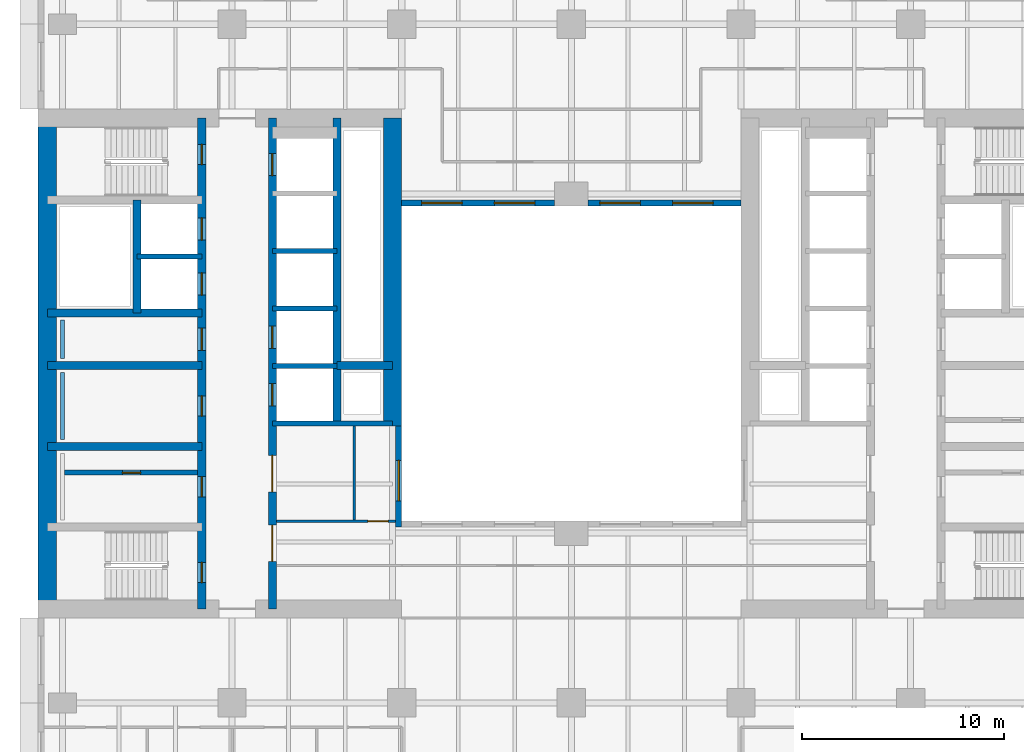
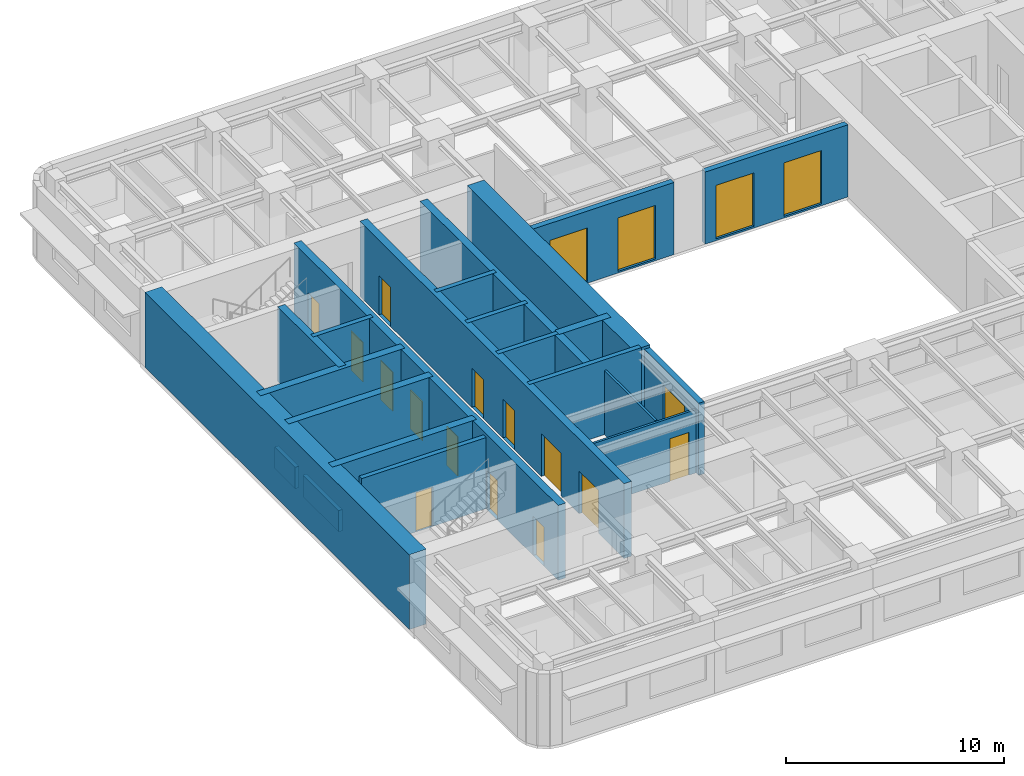
# One storey, part 4 of 11: 23 walls, 14 doors, 5 windows, 19 openings.
"""IFC4 building model written with IfcOpenShell, lengths in metres."""

from ifc_helpers import new_model, si_unit, direction, frame, frame_2d, origin, place, context, subcontext, project, spatial, rectangle, extrude, material, layer, layer_set, type_object, element, fill, save


model = new_model("IFC4")

# Units and contexts
model_context = context("Model", 3, precision=1e-05, world=origin(), true_north=direction((0.0, 1.0)))
body_context = subcontext(model_context, "Body", "Model", "MODEL_VIEW")
ifc_project = project(units=[si_unit("LENGTHUNIT", "METRE"), si_unit("AREAUNIT", "SQUARE_METRE"), si_unit("VOLUMEUNIT", "CUBIC_METRE"), si_unit("PLANEANGLEUNIT", "RADIAN"), si_unit("MASSUNIT", "GRAM", prefix="KILO")], contexts=[model_context])

# Site, building, storey
site_placement = place(None, origin())
site = spatial("IfcSite", under=ifc_project, at=site_placement, CompositionType="ELEMENT")
building_placement = place(site_placement, origin())
building = spatial("IfcBuilding", under=site, at=building_placement, Name="Claustro Exchange Tower", CompositionType="ELEMENT")
storey_placement = place(building_placement, frame((0.0, 0.0, 109.199951171875)))
storey = spatial("IfcBuildingStorey", under=building, at=storey_placement, Name="L24", CompositionType="ELEMENT", Elevation=109.199951171875)

# Wall, opening, door
ifc_material_1 = material(Name="Laminated glass in aluminium frame", Category="aluminium")
ifc_layer_1 = layer(ifc_material_1, 0.1201171875)
ifc_layer_set_1 = layer_set([ifc_layer_1], Name="Laminated glass in aluminium frame")
wall_type_1 = type_object("IfcWallType", Name="P2 120 glazed partition", PredefinedType="PARTITIONING", material=ifc_layer_set_1)
wall_1_placement = place(storey_placement, frame((10.597900390625, 17.39990234375, 0.0), z_axis=(0.0, 0.0, 1.0), x_axis=(1.0, 0.0, 0.0)))
wall_1 = element("IfcWall", 1, at=wall_1_placement, inside=storey, type_object=wall_type_1, Name="Partition P2 L24", PredefinedType="PARTITIONING", context=body_context, shape_type="SweptSolid", body=[
    extrude(rectangle(XDim=5.904052734375, YDim=0.1201171875, at=frame_2d((2.9521484375, 0.0))), origin(), (0.0, 0.0, 1.0), 3.550048828125),
])
opening_1_placement = place(wall_1_placement, frame((4.52392578125, 0.0, 0.0)))
opening_1 = element("IfcOpeningElement", 2, at=opening_1_placement, cuts=wall_1, Name="Opening D7", PredefinedType="OPENING", context=body_context, shape_type="SweptSolid", body=[
    extrude(rectangle(XDim=1.0, YDim=2.39990234375, at=frame_2d((0.5, 1.199951171875))), frame((0.0, 0.070068359375, 0.0), z_axis=(0.0, -1.0, 0.0), x_axis=(1.0, 0.0, 0.0)), (0.0, 0.0, 1.0), 0.14013671875),
])
ifc_material_2 = material(Name="Glass door in aluminium frame", Category="aluminium")
door_type_1 = type_object("IfcDoorType", Name="D7 1000 x 2400 glazed door", OperationType="SINGLE_SWING_LEFT", PredefinedType="DOOR", material=ifc_material_2)
door_1_placement = place(opening_1_placement, origin())
door_1 = element("IfcDoor", 3, at=door_1_placement, inside=storey, type_object=door_type_1, Name="Door D7 L24", OperationType="SINGLE_SWING_LEFT", OverallHeight=2.39990234375, OverallWidth=1.0, PredefinedType="DOOR", context=body_context, shape_type="SweptSolid", body=[
    extrude(rectangle(XDim=1.0, YDim=2.39990234375, at=frame_2d((0.5, 1.199951171875))), frame((0.0, 0.02490234375, 0.0), z_axis=(0.0, -1.0, 0.0), x_axis=(1.0, 0.0, 0.0)), (0.0, 0.0, 1.0), 0.050048828125),
])
fill(opening_1, door_1)

# Wall
wall_2_placement = place(storey_placement, frame((14.444091796875, 17.4580078125, 0.0), z_axis=(0.0, 0.0, 1.0), x_axis=(0.0, 1.0, 0.0)))
element("IfcWall", 4, at=wall_2_placement, inside=storey, type_object=wall_type_1, Name="Partition P2 L24", PredefinedType="PARTITIONING", context=body_context, shape_type="SweptSolid", body=[
    extrude(rectangle(XDim=4.64404296875, YDim=0.1201171875, at=frame_2d((2.322021484375, 0.0))), origin(), (0.0, 0.0, 1.0), 3.60009765625),
])

# Wall, opening, door
ifc_material_3 = material(Name="Concrete blockwork, rendered", Category="masonry")
ifc_layer_2 = layer(ifc_material_3, 0.25)
ifc_layer_set_2 = layer_set([ifc_layer_2], Name="Concrete blockwork, rendered")
wall_type_2 = type_object("IfcWallType", Name="P4 250 blockwork wall", PredefinedType="PARTITIONING", material=ifc_layer_set_2)
wall_3_placement = place(storey_placement, frame((0.10009765625, 19.800048828125, 0.0), z_axis=(0.0, 0.0, 1.0), x_axis=(1.0, 0.0, 0.0)))
wall_3 = element("IfcWall", 5, at=wall_3_placement, inside=storey, type_object=wall_type_2, Name="Partition P4 L24", PredefinedType="PARTITIONING", context=body_context, shape_type="SweptSolid", body=[
    extrude(rectangle(XDim=6.599853515625, YDim=0.25, at=frame_2d((3.2998046875, 0.0))), origin(), (0.0, 0.0, 1.0), 4.0),
])
opening_2_placement = place(wall_3_placement, frame((2.875, 0.0, 0.0)))
opening_2 = element("IfcOpeningElement", 6, at=opening_2_placement, cuts=wall_3, Name="Opening D5", PredefinedType="OPENING", context=body_context, shape_type="SweptSolid", body=[
    extrude(rectangle(XDim=0.89990234375, YDim=2.199951171875, at=frame_2d((0.449951171875, 1.10009765625))), frame((0.0, 0.135009765625, 0.0), z_axis=(0.0, -1.0, 0.0), x_axis=(1.0, 0.0, 0.0)), (0.0, 0.0, 1.0), 0.27001953125),
])
ifc_material_4 = material(Name="Steel door, painted", Category="steel")
door_type_2 = type_object("IfcDoorType", Name="D5 900 x 2200 store door", OperationType="SINGLE_SWING_LEFT", PredefinedType="DOOR", material=ifc_material_4)
door_2_placement = place(opening_2_placement, origin())
door_2 = element("IfcDoor", 7, at=door_2_placement, inside=storey, type_object=door_type_2, Name="Store door D5 L24", OperationType="SINGLE_SWING_LEFT", OverallHeight=2.199951171875, OverallWidth=0.89990234375, PredefinedType="DOOR", context=body_context, shape_type="SweptSolid", body=[
    extrude(rectangle(XDim=0.89990234375, YDim=2.199951171875, at=frame_2d((0.449951171875, 1.10009765625))), frame((0.0, 0.02490234375, 0.0), z_axis=(0.0, -1.0, 0.0), x_axis=(1.0, 0.0, 0.0)), (0.0, 0.0, 1.0), 0.050048828125),
])
fill(opening_2, door_2)

# Wall, opening, window
ifc_material_5 = material(Name="Concrete HA-40 (C40/50), precast, white cement, acid-etched", Category="concrete")
ifc_layer_3 = layer(ifc_material_5, 0.300048828125)
ifc_layer_set_3 = layer_set([ifc_layer_3], Name="Concrete HA-40 (C40/50), precast, white cement, acid-etched")
wall_type_3 = type_object("IfcWallType", Name="PC1 300 precast concrete pier panel", PredefinedType="SOLIDWALL", material=ifc_layer_set_3)
wall_4_placement = place(storey_placement, frame((16.64990234375, 17.10009765625, 0.0), z_axis=(0.0, 0.0, 1.0), x_axis=(0.0, 1.0, 0.0)))
wall_4 = element("IfcWall", 8, at=wall_4_placement, inside=storey, type_object=wall_type_3, Name="Precast pier panel PC1 L24", PredefinedType="SOLIDWALL", context=body_context, shape_type="SweptSolid", body=[
    extrude(rectangle(XDim=5.0, YDim=0.300048828125, at=frame_2d((2.5, 0.0))), origin(), (0.0, 0.0, 1.0), 4.050048828125),
])
opening_3_placement = place(wall_4_placement, frame((1.300048828125, 0.0, 0.10009765625)))
opening_3 = element("IfcOpeningElement", 9, at=opening_3_placement, cuts=wall_4, Name="Opening W-A", PredefinedType="OPENING", context=body_context, shape_type="SweptSolid", body=[
    extrude(rectangle(XDim=2.0, YDim=3.0, at=frame_2d((1.0, 1.5))), frame((0.0, 0.159912109375, 0.0), z_axis=(0.0, -1.0, 0.0), x_axis=(1.0, 0.0, 0.0)), (0.0, 0.0, 1.0), 0.320068359375),
])
ifc_material_6 = material(Name="Aluminium frame, clear double glazing", Category="aluminium")
window_type = type_object("IfcWindowType", Name="W-A 2000 x 3000 arcade window", PartitioningType="SINGLE_PANEL", PredefinedType="WINDOW", material=ifc_material_6)
window_1_placement = place(opening_3_placement, origin())
window_1 = element("IfcWindow", 10, at=window_1_placement, inside=storey, type_object=window_type, Name="Window W-A L24", OverallHeight=3.0, OverallWidth=2.0, PartitioningType="SINGLE_PANEL", PredefinedType="WINDOW", context=body_context, shape_type="SweptSolid", body=[
    extrude(rectangle(XDim=2.0, YDim=3.0, at=frame_2d((1.0, 1.5))), frame((0.0, 0.030029296875, 0.0), z_axis=(0.0, -1.0, 0.0), x_axis=(1.0, 0.0, 0.0)), (0.0, 0.0, 1.0), 0.06005859375),
])
fill(opening_3, window_1)

# Wall, openings, windows
wall_5_placement = place(storey_placement, frame((16.800048828125, 33.14990234375, 0.0), z_axis=(0.0, 0.0, 1.0), x_axis=(1.0, 0.0, 0.0)))
wall_5 = element("IfcWall", 11, at=wall_5_placement, inside=storey, type_object=wall_type_3, Name="Precast pier panel PC1 L24", PredefinedType="SOLIDWALL", context=body_context, shape_type="SweptSolid", body=[
    extrude(rectangle(XDim=7.574951171875, YDim=0.300048828125, at=frame_2d((3.78759765625, 0.0))), origin(), (0.0, 0.0, 1.0), 4.050048828125),
])
opening_4_placement = place(wall_5_placement, frame((0.987548828125, 0.0, 0.10009765625)))
opening_4 = element("IfcOpeningElement", 12, at=opening_4_placement, cuts=wall_5, Name="Opening W-A", PredefinedType="OPENING", context=body_context, shape_type="SweptSolid", body=[
    extrude(rectangle(XDim=2.0, YDim=3.0, at=frame_2d((1.0, 1.5))), frame((0.0, 0.159912109375, 0.0), z_axis=(0.0, -1.0, 0.0), x_axis=(1.0, 0.0, 0.0)), (0.0, 0.0, 1.0), 0.320068359375),
])
opening_5_placement = place(wall_5_placement, frame((4.58740234375, 0.0, 0.10009765625)))
opening_5 = element("IfcOpeningElement", 13, at=opening_5_placement, cuts=wall_5, Name="Opening W-A", PredefinedType="OPENING", context=body_context, shape_type="SweptSolid", body=[
    extrude(rectangle(XDim=2.0, YDim=3.0, at=frame_2d((1.0, 1.5))), frame((0.0, 0.159912109375, 0.0), z_axis=(0.0, -1.0, 0.0), x_axis=(1.0, 0.0, 0.0)), (0.0, 0.0, 1.0), 0.320068359375),
])
window_2_placement = place(opening_4_placement, origin())
window_2 = element("IfcWindow", 14, at=window_2_placement, inside=storey, type_object=window_type, Name="Window W-A L24", OverallHeight=3.0, OverallWidth=2.0, PartitioningType="SINGLE_PANEL", PredefinedType="WINDOW", context=body_context, shape_type="SweptSolid", body=[
    extrude(rectangle(XDim=2.0, YDim=3.0, at=frame_2d((1.0, 1.5))), frame((0.0, 0.030029296875, 0.0), z_axis=(0.0, -1.0, 0.0), x_axis=(1.0, 0.0, 0.0)), (0.0, 0.0, 1.0), 0.06005859375),
])
fill(opening_4, window_2)
window_3_placement = place(opening_5_placement, origin())
window_3 = element("IfcWindow", 15, at=window_3_placement, inside=storey, type_object=window_type, Name="Window W-A L24", OverallHeight=3.0, OverallWidth=2.0, PartitioningType="SINGLE_PANEL", PredefinedType="WINDOW", context=body_context, shape_type="SweptSolid", body=[
    extrude(rectangle(XDim=2.0, YDim=3.0, at=frame_2d((1.0, 1.5))), frame((0.0, 0.030029296875, 0.0), z_axis=(0.0, -1.0, 0.0), x_axis=(1.0, 0.0, 0.0)), (0.0, 0.0, 1.0), 0.06005859375),
])
fill(opening_5, window_3)

wall_6_placement = place(storey_placement, frame((26.02490234375, 33.14990234375, 0.0), z_axis=(0.0, 0.0, 1.0), x_axis=(1.0, 0.0, 0.0)))
wall_6 = element("IfcWall", 16, at=wall_6_placement, inside=storey, type_object=wall_type_3, Name="Precast pier panel PC1 L24", PredefinedType="SOLIDWALL", context=body_context, shape_type="SweptSolid", body=[
    extrude(rectangle(XDim=7.5751953125, YDim=0.300048828125, at=frame_2d((3.78759765625, 0.0))), origin(), (0.0, 0.0, 1.0), 4.050048828125),
])
opening_6_placement = place(wall_6_placement, frame((0.58740234375, 0.0, 0.10009765625)))
opening_6 = element("IfcOpeningElement", 17, at=opening_6_placement, cuts=wall_6, Name="Opening W-A", PredefinedType="OPENING", context=body_context, shape_type="SweptSolid", body=[
    extrude(rectangle(XDim=2.0, YDim=3.0, at=frame_2d((1.0, 1.5))), frame((0.0, 0.159912109375, 0.0), z_axis=(0.0, -1.0, 0.0), x_axis=(1.0, 0.0, 0.0)), (0.0, 0.0, 1.0), 0.320068359375),
])
opening_7_placement = place(wall_6_placement, frame((4.1875, 0.0, 0.10009765625)))
opening_7 = element("IfcOpeningElement", 18, at=opening_7_placement, cuts=wall_6, Name="Opening W-A", PredefinedType="OPENING", context=body_context, shape_type="SweptSolid", body=[
    extrude(rectangle(XDim=2.0, YDim=3.0, at=frame_2d((1.0, 1.5))), frame((0.0, 0.159912109375, 0.0), z_axis=(0.0, -1.0, 0.0), x_axis=(1.0, 0.0, 0.0)), (0.0, 0.0, 1.0), 0.320068359375),
])
window_4_placement = place(opening_6_placement, origin())
window_4 = element("IfcWindow", 19, at=window_4_placement, inside=storey, type_object=window_type, Name="Window W-A L24", OverallHeight=3.0, OverallWidth=2.0, PartitioningType="SINGLE_PANEL", PredefinedType="WINDOW", context=body_context, shape_type="SweptSolid", body=[
    extrude(rectangle(XDim=2.0, YDim=3.0, at=frame_2d((1.0, 1.5))), frame((0.0, 0.030029296875, 0.0), z_axis=(0.0, -1.0, 0.0), x_axis=(1.0, 0.0, 0.0)), (0.0, 0.0, 1.0), 0.06005859375),
])
fill(opening_6, window_4)
window_5_placement = place(opening_7_placement, origin())
window_5 = element("IfcWindow", 20, at=window_5_placement, inside=storey, type_object=window_type, Name="Window W-A L24", OverallHeight=3.0, OverallWidth=2.0, PartitioningType="SINGLE_PANEL", PredefinedType="WINDOW", context=body_context, shape_type="SweptSolid", body=[
    extrude(rectangle(XDim=2.0, YDim=3.0, at=frame_2d((1.0, 1.5))), frame((0.0, 0.030029296875, 0.0), z_axis=(0.0, -1.0, 0.0), x_axis=(1.0, 0.0, 0.0)), (0.0, 0.0, 1.0), 0.06005859375),
])
fill(opening_7, window_5)

# Walls
ifc_material_7 = material(Name="Gypsum board on steel studs, tiled", Category="steel")
ifc_layer_4 = layer(ifc_material_7, 0.199951171875)
ifc_layer_set_4 = layer_set([ifc_layer_4], Name="Gypsum board on steel studs, tiled")
wall_type_4 = type_object("IfcWallType", Name="PW1 200 WC duct wall", PredefinedType="PLUMBINGWALL", material=ifc_layer_set_4)
wall_7_placement = place(storey_placement, frame((0.0, 21.449951171875, 0.0), z_axis=(0.0, 0.0, 1.0), x_axis=(0.0, 1.0, 0.0)))
element("IfcWall", 21, at=wall_7_placement, inside=storey, type_object=wall_type_4, Name="WC duct wall PW1 L24", PredefinedType="PLUMBINGWALL", context=body_context, shape_type="SweptSolid", body=[
    extrude(rectangle(XDim=3.300048828125, YDim=0.199951171875, at=frame_2d((1.64990234375, 0.0))), origin(), (0.0, 0.0, 1.0), 1.199951171875),
])
wall_8_placement = place(storey_placement, frame((0.0, 25.449951171875, 0.0), z_axis=(0.0, 0.0, 1.0), x_axis=(0.0, 1.0, 0.0)))
element("IfcWall", 22, at=wall_8_placement, inside=storey, type_object=wall_type_4, Name="WC duct wall PW1 L24", PredefinedType="PLUMBINGWALL", context=body_context, shape_type="SweptSolid", body=[
    extrude(rectangle(XDim=1.900146484375, YDim=0.199951171875, at=frame_2d((0.9501953125, 0.0))), origin(), (0.0, 0.0, 1.0), 1.199951171875),
])
ifc_material_8 = material(Name="Concrete HA-70 (C70/85)", Category="concrete")
ifc_layer_5 = layer(ifc_material_8, 0.89990234375)
ifc_layer_set_5 = layer_set([ifc_layer_5], Name="Concrete HA-70 (C70/85)")
wall_type_5 = type_object("IfcWallType", Name="SW1X 900 exposed core shear wall, board-marked face", PredefinedType="SHEAR", material=ifc_layer_set_5)
wall_9_placement = place(storey_placement, frame((-0.75, 13.050048828125, 0.0), z_axis=(0.0, 0.0, 1.0), x_axis=(0.0, 1.0, 0.0)))
element("IfcWall", 23, at=wall_9_placement, inside=storey, type_object=wall_type_5, Name="Core wall SW1X W core W face L24", PredefinedType="SHEAR", context=body_context, shape_type="SweptSolid", body=[
    extrude(rectangle(XDim=24.300048828125, YDim=0.89990234375, at=frame_2d((12.14990234375, 0.0))), origin(), (0.0, 0.0, 1.0), 4.199951171875),
])
wall_10_placement = place(storey_placement, frame((16.35009765625, 22.10009765625, 0.0), z_axis=(0.0, 0.0, 1.0), x_axis=(0.0, 1.0, 0.0)))
element("IfcWall", 24, at=wall_10_placement, inside=storey, type_object=wall_type_5, Name="Core wall SW1X W core E face L24", PredefinedType="SHEAR", context=body_context, shape_type="SweptSolid", body=[
    extrude(rectangle(XDim=15.25, YDim=0.89990234375, at=frame_2d((7.625, 0.0))), origin(), (0.0, 0.0, 1.0), 4.199951171875),
])

# Wall, openings, doors
ifc_material_9 = material(Name="Concrete HA-50 (C50/60)", Category="concrete")
ifc_layer_6 = layer(ifc_material_9, 0.39990234375)
ifc_layer_set_6 = layer_set([ifc_layer_6], Name="Concrete HA-50 (C50/60)")
wall_type_6 = type_object("IfcWallType", Name="SW4 400 internal core wall", PredefinedType="SHEAR", material=ifc_layer_set_6)
wall_11_placement = place(storey_placement, frame((6.89990234375, 13.050048828125, 0.0), z_axis=(0.0, 0.0, 1.0), x_axis=(0.0, 1.0, 0.0)))
wall_11 = element("IfcWall", 25, at=wall_11_placement, inside=storey, type_object=wall_type_6, Name="Internal core wall SW4 W core L24", PredefinedType="SHEAR", context=body_context, shape_type="SweptSolid", body=[
    extrude(rectangle(XDim=24.300048828125, YDim=0.39990234375, at=frame_2d((12.14990234375, 0.0))), origin(), (0.0, 0.0, 1.0), 4.199951171875),
])
opening_8_placement = place(wall_11_placement, frame((1.300048828125, 0.0, 0.0)))
opening_8 = element("IfcOpeningElement", 26, at=opening_8_placement, cuts=wall_11, Name="Opening D4", PredefinedType="OPENING", context=body_context, shape_type="SweptSolid", body=[
    extrude(rectangle(XDim=1.0, YDim=2.199951171875, at=frame_2d((0.5, 1.10009765625))), frame((0.0, 0.2099609375, 0.0), z_axis=(0.0, -1.0, 0.0), x_axis=(1.0, 0.0, 0.0)), (0.0, 0.0, 1.0), 0.419921875),
])
opening_9_placement = place(wall_11_placement, frame((22.0, 0.0, 0.0)))
opening_9 = element("IfcOpeningElement", 27, at=opening_9_placement, cuts=wall_11, Name="Opening D4", PredefinedType="OPENING", context=body_context, shape_type="SweptSolid", body=[
    extrude(rectangle(XDim=1.0, YDim=2.199951171875, at=frame_2d((0.5, 1.10009765625))), frame((0.0, 0.2099609375, 0.0), z_axis=(0.0, -1.0, 0.0), x_axis=(1.0, 0.0, 0.0)), (0.0, 0.0, 1.0), 0.419921875),
])
opening_10_placement = place(wall_11_placement, frame((5.550048828125, 0.0, 0.0)))
opening_10 = element("IfcOpeningElement", 28, at=opening_10_placement, cuts=wall_11, Name="Opening D1", PredefinedType="OPENING", context=body_context, shape_type="SweptSolid", body=[
    extrude(rectangle(XDim=1.0, YDim=2.199951171875, at=frame_2d((0.5, 1.10009765625))), frame((0.0, 0.2099609375, 0.0), z_axis=(0.0, -1.0, 0.0), x_axis=(1.0, 0.0, 0.0)), (0.0, 0.0, 1.0), 0.419921875),
])
opening_11_placement = place(wall_11_placement, frame((9.550048828125, 0.0, 0.0)))
opening_11 = element("IfcOpeningElement", 29, at=opening_11_placement, cuts=wall_11, Name="Opening D1", PredefinedType="OPENING", context=body_context, shape_type="SweptSolid", body=[
    extrude(rectangle(XDim=1.0, YDim=2.199951171875, at=frame_2d((0.5, 1.10009765625))), frame((0.0, 0.2099609375, 0.0), z_axis=(0.0, -1.0, 0.0), x_axis=(1.0, 0.0, 0.0)), (0.0, 0.0, 1.0), 0.419921875),
])
opening_12_placement = place(wall_11_placement, frame((12.800048828125, 0.0, 0.0)))
opening_12 = element("IfcOpeningElement", 30, at=opening_12_placement, cuts=wall_11, Name="Opening D10", PredefinedType="OPENING", context=body_context, shape_type="SweptSolid", body=[
    extrude(rectangle(XDim=1.10009765625, YDim=2.199951171875, at=frame_2d((0.550048828125, 1.10009765625))), frame((0.0, 0.2099609375, 0.0), z_axis=(0.0, -1.0, 0.0), x_axis=(1.0, 0.0, 0.0)), (0.0, 0.0, 1.0), 0.419921875),
])
opening_13_placement = place(wall_11_placement, frame((15.53759765625, 0.0, 0.0)))
opening_13 = element("IfcOpeningElement", 31, at=opening_13_placement, cuts=wall_11, Name="Opening LD", PredefinedType="OPENING", context=body_context, shape_type="SweptSolid", body=[
    extrude(rectangle(XDim=1.10009765625, YDim=2.199951171875, at=frame_2d((0.550048828125, 1.10009765625))), frame((0.0, 0.2099609375, 0.0), z_axis=(0.0, -1.0, 0.0), x_axis=(1.0, 0.0, 0.0)), (0.0, 0.0, 1.0), 0.419921875),
])
opening_14_placement = place(wall_11_placement, frame((18.262451171875, 0.0, 0.0)))
opening_14 = element("IfcOpeningElement", 32, at=opening_14_placement, cuts=wall_11, Name="Opening LD", PredefinedType="OPENING", context=body_context, shape_type="SweptSolid", body=[
    extrude(rectangle(XDim=1.10009765625, YDim=2.199951171875, at=frame_2d((0.550048828125, 1.10009765625))), frame((0.0, 0.2099609375, 0.0), z_axis=(0.0, -1.0, 0.0), x_axis=(1.0, 0.0, 0.0)), (0.0, 0.0, 1.0), 0.419921875),
])
ifc_material_10 = material(Name="Timber door, oak veneer", Category="wood")
door_type_3 = type_object("IfcDoorType", Name="D1 1000 x 2200 single door", OperationType="SINGLE_SWING_LEFT", PredefinedType="DOOR", material=ifc_material_10)
door_3_placement = place(opening_10_placement, origin())
door_3 = element("IfcDoor", 33, at=door_3_placement, inside=storey, type_object=door_type_3, Name="Door D1 L24", OperationType="SINGLE_SWING_RIGHT", OverallHeight=2.199951171875, OverallWidth=1.0, PredefinedType="DOOR", context=body_context, shape_type="SweptSolid", body=[
    extrude(rectangle(XDim=1.0, YDim=2.199951171875, at=frame_2d((0.5, 1.10009765625))), frame((0.0, 0.02490234375, 0.0), z_axis=(0.0, -1.0, 0.0), x_axis=(1.0, 0.0, 0.0)), (0.0, 0.0, 1.0), 0.050048828125),
])
fill(opening_10, door_3)
door_4_placement = place(opening_11_placement, origin())
door_4 = element("IfcDoor", 34, at=door_4_placement, inside=storey, type_object=door_type_3, Name="Door D1 L24", OperationType="SINGLE_SWING_RIGHT", OverallHeight=2.199951171875, OverallWidth=1.0, PredefinedType="DOOR", context=body_context, shape_type="SweptSolid", body=[
    extrude(rectangle(XDim=1.0, YDim=2.199951171875, at=frame_2d((0.5, 1.10009765625))), frame((0.0, 0.02490234375, 0.0), z_axis=(0.0, -1.0, 0.0), x_axis=(1.0, 0.0, 0.0)), (0.0, 0.0, 1.0), 0.050048828125),
])
fill(opening_11, door_4)
ifc_material_11 = material(Name="Timber door, oak veneer", Category="wood")
door_type_4 = type_object("IfcDoorType", Name="D10 1100 x 2200 accessible WC door", OperationType="SINGLE_SWING_LEFT", PredefinedType="DOOR", material=ifc_material_11)
door_5_placement = place(opening_12_placement, frame((1.10009765625, 0.0, 0.0), z_axis=(0.0, 0.0, 1.0), x_axis=(-1.0, 0.0, 0.0)))
door_5 = element("IfcDoor", 35, at=door_5_placement, inside=storey, type_object=door_type_4, Name="Accessible WC door D10 L24", OperationType="SINGLE_SWING_LEFT", OverallHeight=2.199951171875, OverallWidth=1.10009765625, PredefinedType="DOOR", context=body_context, shape_type="SweptSolid", body=[
    extrude(rectangle(XDim=1.10009765625, YDim=2.199951171875, at=frame_2d((0.550048828125, 1.10009765625))), frame((0.0, 0.02490234375, 0.0), z_axis=(0.0, -1.0, 0.0), x_axis=(1.0, 0.0, 0.0)), (0.0, 0.0, 1.0), 0.050048828125),
])
fill(opening_12, door_5)
ifc_material_12 = material(Name="Steel fire door, painted", Category="steel")
door_type_5 = type_object("IfcDoorType", Name="D4 1000 x 2200 fire-rated stair door", OperationType="SINGLE_SWING_LEFT", PredefinedType="DOOR", material=ifc_material_12)
door_6_placement = place(opening_8_placement, origin())
door_6 = element("IfcDoor", 36, at=door_6_placement, inside=storey, type_object=door_type_5, Name="Stair door D4 L24", OperationType="SINGLE_SWING_LEFT", OverallHeight=2.199951171875, OverallWidth=1.0, PredefinedType="DOOR", context=body_context, shape_type="SweptSolid", body=[
    extrude(rectangle(XDim=1.0, YDim=2.199951171875, at=frame_2d((0.5, 1.10009765625))), frame((0.0, 0.02490234375, 0.0), z_axis=(0.0, -1.0, 0.0), x_axis=(1.0, 0.0, 0.0)), (0.0, 0.0, 1.0), 0.050048828125),
])
fill(opening_8, door_6)
door_7_placement = place(opening_9_placement, origin())
door_7 = element("IfcDoor", 37, at=door_7_placement, inside=storey, type_object=door_type_5, Name="Stair door D4 L24", OperationType="SINGLE_SWING_RIGHT", OverallHeight=2.199951171875, OverallWidth=1.0, PredefinedType="DOOR", context=body_context, shape_type="SweptSolid", body=[
    extrude(rectangle(XDim=1.0, YDim=2.199951171875, at=frame_2d((0.5, 1.10009765625))), frame((0.0, 0.02490234375, 0.0), z_axis=(0.0, -1.0, 0.0), x_axis=(1.0, 0.0, 0.0)), (0.0, 0.0, 1.0), 0.050048828125),
])
fill(opening_9, door_7)
ifc_material_13 = material(Name="Stainless steel sliding door", Category="steel")
door_type_6 = type_object("IfcDoorType", Name="LD 1100 x 2200 lift landing door", OperationType="DOUBLE_DOOR_SLIDING", PredefinedType="DOOR", material=ifc_material_13)
door_8_placement = place(opening_13_placement, origin())
door_8 = element("IfcDoor", 38, at=door_8_placement, inside=storey, type_object=door_type_6, Name="Lift landing door LEW1 LD L24", OperationType="DOUBLE_DOOR_SLIDING", OverallHeight=2.199951171875, OverallWidth=1.10009765625, PredefinedType="DOOR", context=body_context, shape_type="SweptSolid", body=[
    extrude(rectangle(XDim=1.10009765625, YDim=2.199951171875, at=frame_2d((0.550048828125, 1.10009765625))), frame((0.0, 0.02490234375, 0.0), z_axis=(0.0, -1.0, 0.0), x_axis=(1.0, 0.0, 0.0)), (0.0, 0.0, 1.0), 0.050048828125),
])
fill(opening_13, door_8)
door_9_placement = place(opening_14_placement, origin())
door_9 = element("IfcDoor", 39, at=door_9_placement, inside=storey, type_object=door_type_6, Name="Lift landing door LEW2 LD L24", OperationType="DOUBLE_DOOR_SLIDING", OverallHeight=2.199951171875, OverallWidth=1.10009765625, PredefinedType="DOOR", context=body_context, shape_type="SweptSolid", body=[
    extrude(rectangle(XDim=1.10009765625, YDim=2.199951171875, at=frame_2d((0.550048828125, 1.10009765625))), frame((0.0, 0.02490234375, 0.0), z_axis=(0.0, -1.0, 0.0), x_axis=(1.0, 0.0, 0.0)), (0.0, 0.0, 1.0), 0.050048828125),
])
fill(opening_14, door_9)

wall_12_placement = place(storey_placement, frame((10.39990234375, 13.050048828125, 0.0), z_axis=(0.0, 0.0, 1.0), x_axis=(0.0, 1.0, 0.0)))
wall_12 = element("IfcWall", 40, at=wall_12_placement, inside=storey, type_object=wall_type_6, Name="Internal core wall SW4 W core L24", PredefinedType="SHEAR", context=body_context, shape_type="SweptSolid", body=[
    extrude(rectangle(XDim=24.300048828125, YDim=0.39990234375, at=frame_2d((12.14990234375, 0.0))), origin(), (0.0, 0.0, 1.0), 4.199951171875),
])
opening_15_placement = place(wall_12_placement, frame((10.050048828125, 0.0, 0.0)))
opening_15 = element("IfcOpeningElement", 41, at=opening_15_placement, cuts=wall_12, Name="Opening LD", PredefinedType="OPENING", context=body_context, shape_type="SweptSolid", body=[
    extrude(rectangle(XDim=1.10009765625, YDim=2.199951171875, at=frame_2d((0.550048828125, 1.10009765625))), frame((0.0, 0.2099609375, 0.0), z_axis=(0.0, -1.0, 0.0), x_axis=(1.0, 0.0, 0.0)), (0.0, 0.0, 1.0), 0.419921875),
])
opening_16_placement = place(wall_12_placement, frame((12.89990234375, 0.0, 0.0)))
opening_16 = element("IfcOpeningElement", 42, at=opening_16_placement, cuts=wall_12, Name="Opening LD", PredefinedType="OPENING", context=body_context, shape_type="SweptSolid", body=[
    extrude(rectangle(XDim=1.10009765625, YDim=2.199951171875, at=frame_2d((0.550048828125, 1.10009765625))), frame((0.0, 0.2099609375, 0.0), z_axis=(0.0, -1.0, 0.0), x_axis=(1.0, 0.0, 0.0)), (0.0, 0.0, 1.0), 0.419921875),
])
opening_17_placement = place(wall_12_placement, frame((21.449951171875, 0.0, 0.0)))
opening_17 = element("IfcOpeningElement", 43, at=opening_17_placement, cuts=wall_12, Name="Opening LD", PredefinedType="OPENING", context=body_context, shape_type="SweptSolid", body=[
    extrude(rectangle(XDim=1.10009765625, YDim=2.199951171875, at=frame_2d((0.550048828125, 1.10009765625))), frame((0.0, 0.2099609375, 0.0), z_axis=(0.0, -1.0, 0.0), x_axis=(1.0, 0.0, 0.0)), (0.0, 0.0, 1.0), 0.419921875),
])
opening_18_placement = place(wall_12_placement, frame((2.35009765625, 0.0, 0.0)))
opening_18 = element("IfcOpeningElement", 44, at=opening_18_placement, cuts=wall_12, Name="Opening D3", PredefinedType="OPENING", context=body_context, shape_type="SweptSolid", body=[
    extrude(rectangle(XDim=1.800048828125, YDim=2.39990234375, at=frame_2d((0.89990234375, 1.199951171875))), frame((0.0, 0.2099609375, 0.0), z_axis=(0.0, -1.0, 0.0), x_axis=(1.0, 0.0, 0.0)), (0.0, 0.0, 1.0), 0.419921875),
])
opening_19_placement = place(wall_12_placement, frame((5.800048828125, 0.0, 0.0)))
opening_19 = element("IfcOpeningElement", 45, at=opening_19_placement, cuts=wall_12, Name="Opening D3", PredefinedType="OPENING", context=body_context, shape_type="SweptSolid", body=[
    extrude(rectangle(XDim=1.800048828125, YDim=2.39990234375, at=frame_2d((0.89990234375, 1.199951171875))), frame((0.0, 0.2099609375, 0.0), z_axis=(0.0, -1.0, 0.0), x_axis=(1.0, 0.0, 0.0)), (0.0, 0.0, 1.0), 0.419921875),
])
ifc_material_14 = material(Name="Steel fire door, painted", Category="steel")
door_type_7 = type_object("IfcDoorType", Name="D3 1800 x 2400 fire-rated lobby double door", OperationType="DOUBLE_DOOR_SINGLE_SWING", PredefinedType="DOOR", material=ifc_material_14)
door_10_placement = place(opening_18_placement, origin())
door_10 = element("IfcDoor", 46, at=door_10_placement, inside=storey, type_object=door_type_7, Name="Core zone door D3 L24", OperationType="DOUBLE_DOOR_SINGLE_SWING", OverallHeight=2.39990234375, OverallWidth=1.800048828125, PredefinedType="DOOR", context=body_context, shape_type="SweptSolid", body=[
    extrude(rectangle(XDim=1.800048828125, YDim=2.39990234375, at=frame_2d((0.89990234375, 1.199951171875))), frame((0.0, 0.02490234375, 0.0), z_axis=(0.0, -1.0, 0.0), x_axis=(1.0, 0.0, 0.0)), (0.0, 0.0, 1.0), 0.050048828125),
])
fill(opening_18, door_10)
door_11_placement = place(opening_19_placement, frame((1.800048828125, 0.0, 0.0), z_axis=(0.0, 0.0, 1.0), x_axis=(-1.0, 0.0, 0.0)))
door_11 = element("IfcDoor", 47, at=door_11_placement, inside=storey, type_object=door_type_7, Name="Core zone door D3 L24", OperationType="DOUBLE_DOOR_SINGLE_SWING", OverallHeight=2.39990234375, OverallWidth=1.800048828125, PredefinedType="DOOR", context=body_context, shape_type="SweptSolid", body=[
    extrude(rectangle(XDim=1.800048828125, YDim=2.39990234375, at=frame_2d((0.89990234375, 1.199951171875))), frame((0.0, 0.02490234375, 0.0), z_axis=(0.0, -1.0, 0.0), x_axis=(1.0, 0.0, 0.0)), (0.0, 0.0, 1.0), 0.050048828125),
])
fill(opening_19, door_11)
door_12_placement = place(opening_15_placement, origin())
door_12 = element("IfcDoor", 48, at=door_12_placement, inside=storey, type_object=door_type_6, Name="Lift landing door LMW1 LD L24", OperationType="DOUBLE_DOOR_SLIDING", OverallHeight=2.199951171875, OverallWidth=1.10009765625, PredefinedType="DOOR", context=body_context, shape_type="SweptSolid", body=[
    extrude(rectangle(XDim=1.10009765625, YDim=2.199951171875, at=frame_2d((0.550048828125, 1.10009765625))), frame((0.0, 0.02490234375, 0.0), z_axis=(0.0, -1.0, 0.0), x_axis=(1.0, 0.0, 0.0)), (0.0, 0.0, 1.0), 0.050048828125),
])
fill(opening_15, door_12)
door_13_placement = place(opening_16_placement, origin())
door_13 = element("IfcDoor", 49, at=door_13_placement, inside=storey, type_object=door_type_6, Name="Lift landing door LMW2 LD L24", OperationType="DOUBLE_DOOR_SLIDING", OverallHeight=2.199951171875, OverallWidth=1.10009765625, PredefinedType="DOOR", context=body_context, shape_type="SweptSolid", body=[
    extrude(rectangle(XDim=1.10009765625, YDim=2.199951171875, at=frame_2d((0.550048828125, 1.10009765625))), frame((0.0, 0.02490234375, 0.0), z_axis=(0.0, -1.0, 0.0), x_axis=(1.0, 0.0, 0.0)), (0.0, 0.0, 1.0), 0.050048828125),
])
fill(opening_16, door_13)
door_14_placement = place(opening_17_placement, origin())
door_14 = element("IfcDoor", 50, at=door_14_placement, inside=storey, type_object=door_type_6, Name="Lift landing door LSW1 LD L24", OperationType="DOUBLE_DOOR_SLIDING", OverallHeight=2.199951171875, OverallWidth=1.10009765625, PredefinedType="DOOR", context=body_context, shape_type="SweptSolid", body=[
    extrude(rectangle(XDim=1.10009765625, YDim=2.199951171875, at=frame_2d((0.550048828125, 1.10009765625))), frame((0.0, 0.02490234375, 0.0), z_axis=(0.0, -1.0, 0.0), x_axis=(1.0, 0.0, 0.0)), (0.0, 0.0, 1.0), 0.050048828125),
])
fill(opening_17, door_14)

# Walls
wall_13_placement = place(storey_placement, frame((13.60009765625, 22.22509765625, 0.0), z_axis=(0.0, 0.0, 1.0), x_axis=(0.0, 1.0, 0.0)))
element("IfcWall", 51, at=wall_13_placement, inside=storey, type_object=wall_type_6, Name="Internal core wall SW4 W core L24", PredefinedType="SHEAR", context=body_context, shape_type="SweptSolid", body=[
    extrude(rectangle(XDim=15.125, YDim=0.39990234375, at=frame_2d((7.5625, 0.0))), origin(), (0.0, 0.0, 1.0), 4.199951171875),
])
for number, where, z_axis, x_axis, name in (
    (52, (-0.75, 21.10009765625, 0.0), (0.0, 0.0, 1.0), (1.0, 0.0, 0.0), "Internal core wall SW4 W core L24"),
    (53, (-0.75, 25.10009765625, 0.0), (0.0, 0.0, 1.0), (1.0, 0.0, 0.0), "Internal core wall SW4 W core L24"),
    (54, (-0.75, 27.699951171875, 0.0), (0.0, 0.0, 1.0), (1.0, 0.0, 0.0), "Internal core wall SW4 W core L24"),
):
    element("IfcWall", number, at=place(storey_placement, frame(where, z_axis=z_axis, x_axis=x_axis)), inside=storey, type_object=wall_type_6, Name=name, PredefinedType="SHEAR", context=body_context, shape_type="SweptSolid", body=[
        extrude(rectangle(XDim=7.64990234375, YDim=0.39990234375, at=frame_2d((3.824951171875, 0.0))), origin(), (0.0, 0.0, 1.0), 4.199951171875),
    ])
wall_14_placement = place(storey_placement, frame((3.699951171875, 27.699951171875, 0.0), z_axis=(0.0, 0.0, 1.0), x_axis=(0.0, 1.0, 0.0)))
element("IfcWall", 55, at=wall_14_placement, inside=storey, type_object=wall_type_6, Name="Internal core wall SW4 W core L24", PredefinedType="SHEAR", context=body_context, shape_type="SweptSolid", body=[
    extrude(rectangle(XDim=5.60009765625, YDim=0.39990234375, at=frame_2d((2.800048828125, 0.0))), origin(), (0.0, 0.0, 1.0), 4.199951171875),
])
wall_15_placement = place(storey_placement, frame((13.60009765625, 25.10009765625, 0.0), z_axis=(0.0, 0.0, 1.0), x_axis=(1.0, 0.0, 0.0)))
element("IfcWall", 56, at=wall_15_placement, inside=storey, type_object=wall_type_6, Name="Internal core wall SW4 W core L24", PredefinedType="SHEAR", context=body_context, shape_type="SweptSolid", body=[
    extrude(rectangle(XDim=2.75, YDim=0.39990234375, at=frame_2d((1.375, 0.0))), origin(), (0.0, 0.0, 1.0), 4.199951171875),
])
ifc_material_15 = material(Name="Concrete HA-50 (C50/60)", Category="concrete")
ifc_layer_7 = layer(ifc_material_15, 0.25)
ifc_layer_set_7 = layer_set([ifc_layer_7], Name="Concrete HA-50 (C50/60)")
wall_type_7 = type_object("IfcWallType", Name="SW5 250 lift shaft divider wall", PredefinedType="SHEAR", material=ifc_layer_set_7)
wall_16_placement = place(storey_placement, frame((3.699951171875, 30.5, 0.0), z_axis=(0.0, 0.0, 1.0), x_axis=(1.0, 0.0, 0.0)))
element("IfcWall", 57, at=wall_16_placement, inside=storey, type_object=wall_type_7, Name="Lift shaft wall W core L24", PredefinedType="SHEAR", context=body_context, shape_type="SweptSolid", body=[
    extrude(rectangle(XDim=3.199951171875, YDim=0.25, at=frame_2d((1.60009765625, 0.0))), origin(), (0.0, 0.0, 1.0), 4.199951171875),
])
wall_17_placement = place(storey_placement, frame((10.39990234375, 22.22509765625, 0.0), z_axis=(0.0, 0.0, 1.0), x_axis=(1.0, 0.0, 0.0)))
element("IfcWall", 58, at=wall_17_placement, inside=storey, type_object=wall_type_7, Name="Core step wall W core L24", PredefinedType="SHEAR", context=body_context, shape_type="SweptSolid", body=[
    extrude(rectangle(XDim=5.9501953125, YDim=0.25, at=frame_2d((2.97509765625, 0.0))), origin(), (0.0, 0.0, 1.0), 4.199951171875),
])
for number, where, z_axis, x_axis, name in (
    (59, (10.39990234375, 25.074951171875, 0.0), (0.0, 0.0, 1.0), (1.0, 0.0, 0.0), "Lift shaft wall W core L24"),
    (60, (10.39990234375, 27.925048828125, 0.0), (0.0, 0.0, 1.0), (1.0, 0.0, 0.0), "Lift shaft wall W core L24"),
    (61, (10.39990234375, 30.77490234375, 0.0), (0.0, 0.0, 1.0), (1.0, 0.0, 0.0), "Lift shaft wall W core L24"),
):
    element("IfcWall", number, at=place(storey_placement, frame(where, z_axis=z_axis, x_axis=x_axis)), inside=storey, type_object=wall_type_7, Name=name, PredefinedType="SHEAR", context=body_context, shape_type="SweptSolid", body=[
        extrude(rectangle(XDim=3.2001953125, YDim=0.25, at=frame_2d((1.60009765625, 0.0))), origin(), (0.0, 0.0, 1.0), 4.199951171875),
    ])

save(model, "model.ifc")
